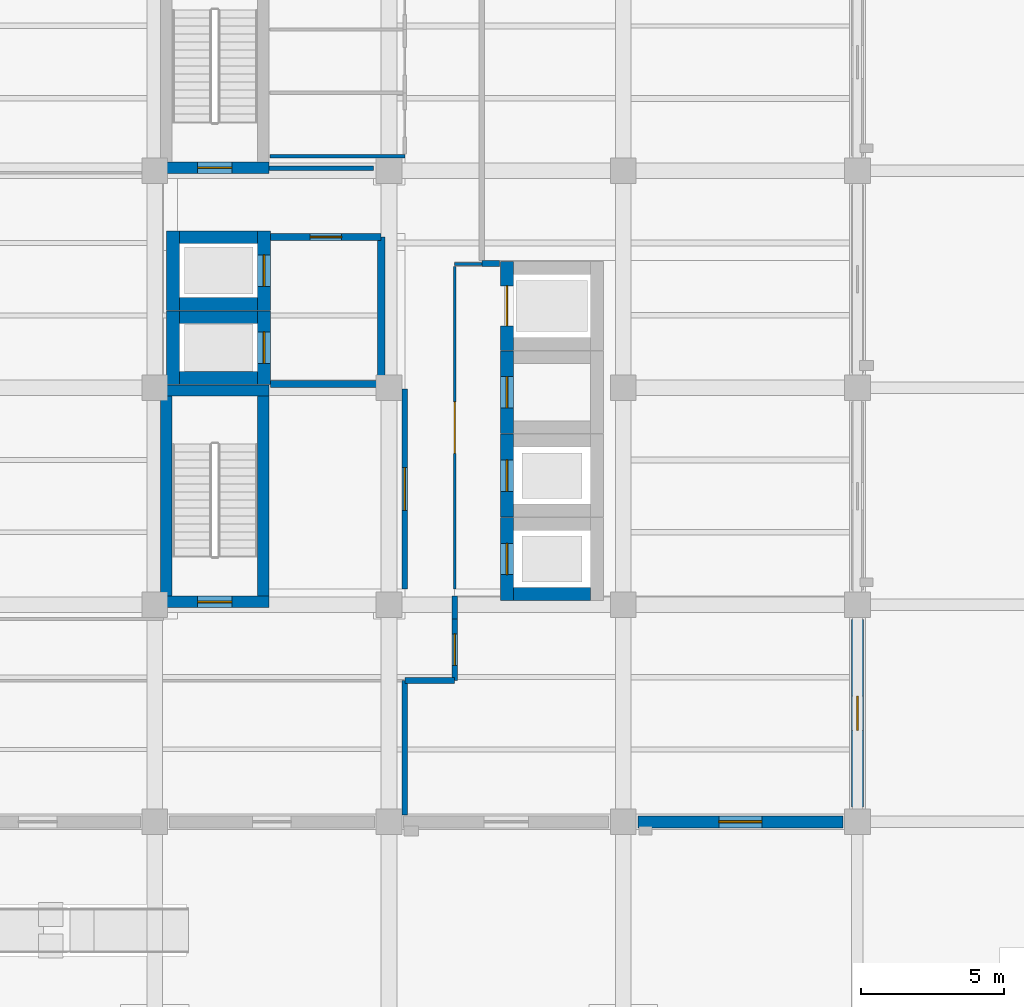
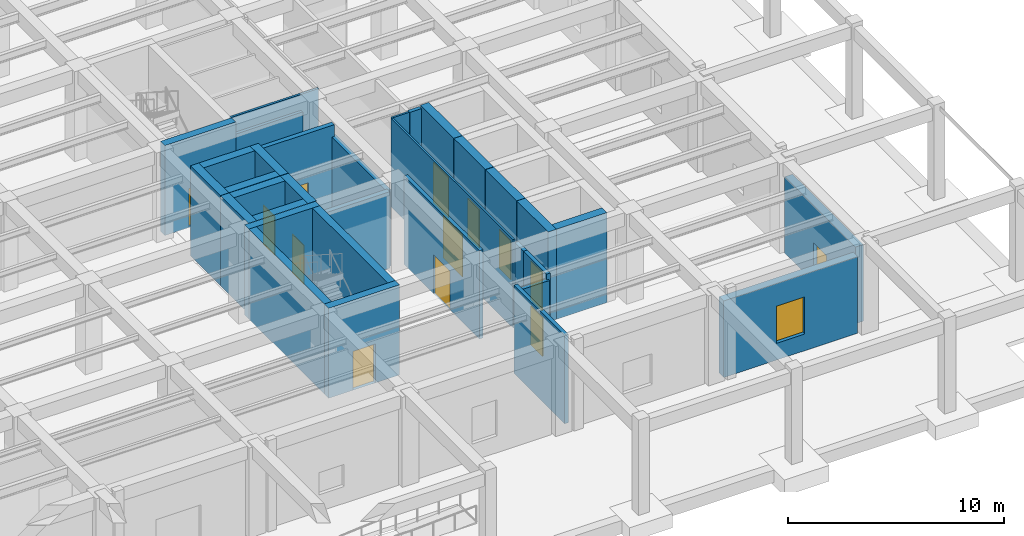
# One storey, part 47 of 64: 33 walls, 13 doors, 1 window, 14 openings.
"""IFC4 building model written with IfcOpenShell, lengths in metres."""

from ifc_helpers import new_model, si_unit, direction, frame, frame_2d, origin, place, context, subcontext, project, spatial, rectangle, extrude, material, layer, layer_set, type_object, element, fill, save


model = new_model("IFC4")

# Units and contexts
model_context = context("Model", 3, precision=1e-05, world=origin(), true_north=direction((0.0, 1.0)))
body_context = subcontext(model_context, "Body", "Model", "MODEL_VIEW")
ifc_project = project(units=[si_unit("LENGTHUNIT", "METRE"), si_unit("AREAUNIT", "SQUARE_METRE"), si_unit("VOLUMEUNIT", "CUBIC_METRE"), si_unit("PLANEANGLEUNIT", "RADIAN"), si_unit("MASSUNIT", "GRAM", prefix="KILO")], contexts=[model_context])

# Site, building, storey
site_placement = place(None, origin())
site = spatial("IfcSite", under=ifc_project, at=site_placement, CompositionType="ELEMENT")
building_placement = place(site_placement, origin())
building = spatial("IfcBuilding", under=site, at=building_placement, Name="Qandaris Square Conservatory and Botanical Centre", CompositionType="ELEMENT")
storey_placement = place(building_placement, origin())
storey = spatial("IfcBuildingStorey", under=building, at=storey_placement, Name="L00", CompositionType="ELEMENT", Elevation=0.0)

# Wall
ifc_material_1 = material(Name="Gypsum Plasterboard", Category="gypsum")
ifc_layer_1 = layer(ifc_material_1, 0.14990234375)
ifc_layer_set_1 = layer_set([ifc_layer_1], Name="Gypsum Plasterboard")
wall_type_1 = type_object("IfcWallType", Name="Acoustic Laboratory Partition 150mm", PredefinedType="PARTITIONING", material=ifc_layer_set_1)
wall_1_placement = place(storey_placement, frame((143.199951171875, 39.47998046875, 0.0), z_axis=(0.0, 0.0, 1.0), x_axis=(1.0, 0.0, 0.0)))
element("IfcWall", 1, at=wall_1_placement, inside=storey, type_object=wall_type_1, Name="Interior Partition IW-L00-0059", PredefinedType="PARTITIONING", context=body_context, shape_type="SweptSolid", body=[
    extrude(rectangle(XDim=3.650146484375, YDim=0.14990234375, at=frame_2d((1.8251953125, 0.0))), origin(), (0.0, 0.0, 1.0), 4.3349609375),
])

# Wall, opening, door
ifc_material_2 = material(Name="Concrete C40/50", Category="concrete")
ifc_layer_2 = layer(ifc_material_2, 0.25)
ifc_layer_set_2 = layer_set([ifc_layer_2], Name="Concrete C40/50")
wall_type_2 = type_object("IfcWallType", Name="Firefighting Lobby Compartment Wall 250mm", PredefinedType="SOLIDWALL", material=ifc_layer_set_2)
wall_2_placement = place(storey_placement, frame((143.25, 37.074951171875, 0.0), z_axis=(0.0, 0.0, 1.0), x_axis=(1.0, 0.0, 0.0)))
wall_2 = element("IfcWall", 2, at=wall_2_placement, inside=storey, type_object=wall_type_2, Name="Firefighting Lobby Wall North (L00)", PredefinedType="SOLIDWALL", context=body_context, shape_type="SweptSolid", body=[
    extrude(rectangle(XDim=3.875, YDim=0.25, at=frame_2d((1.9375, 0.0))), origin(), (0.0, 0.0, 1.0), 5.0048828125),
])
opening_1_placement = place(wall_2_placement, frame((1.387451171875, 0.0, 0.0)))
opening_1 = element("IfcOpeningElement", 3, at=opening_1_placement, cuts=wall_2, Name="Opening D-FFL", PredefinedType="OPENING", context=body_context, shape_type="SweptSolid", body=[
    extrude(rectangle(XDim=1.10009765625, YDim=2.199951171875, at=frame_2d((0.550048828125, 1.10009765625))), frame((0.0, 0.136962890625, 0.0), z_axis=(0.0, -1.0, 0.0), x_axis=(1.0, 0.0, 0.0)), (0.0, 0.0, 1.0), 0.27392578125),
])
ifc_material_3 = material(Name="Steel S355", Category="steel")
door_type_1 = type_object("IfcDoorType", Name="Firefighting Lobby Smoke-Seal Door 1100x2200", OperationType="NOTDEFINED", PredefinedType="DOOR", material=ifc_material_3)
door_1_placement = place(opening_1_placement, origin())
door_1 = element("IfcDoor", 4, at=door_1_placement, inside=storey, type_object=door_type_1, Name="DR-0036 Firefighting Lobby Door (L00)", OperationType="SINGLE_SWING_LEFT", OverallHeight=2.199951171875, OverallWidth=1.10009765625, PredefinedType="DOOR", context=body_context, shape_type="SweptSolid", body=[
    extrude(rectangle(XDim=1.10009765625, YDim=2.199951171875, at=frame_2d((0.550048828125, 1.10009765625))), frame((0.0, 0.02490234375, 0.0), z_axis=(0.0, -1.0, 0.0), x_axis=(1.0, 0.0, 0.0)), (0.0, 0.0, 1.0), 0.050048828125),
])
fill(opening_1, door_1)

# Walls
wall_3_placement = place(storey_placement, frame((143.25, 31.925048828125, 0.0), z_axis=(0.0, 0.0, 1.0), x_axis=(1.0, 0.0, 0.0)))
element("IfcWall", 5, at=wall_3_placement, inside=storey, type_object=wall_type_2, Name="Firefighting Lobby Wall South (L00)", PredefinedType="SOLIDWALL", context=body_context, shape_type="SweptSolid", body=[
    extrude(rectangle(XDim=3.875, YDim=0.25, at=frame_2d((1.9375, 0.0))), origin(), (0.0, 0.0, 1.0), 4.3349609375),
])
wall_4_placement = place(storey_placement, frame((147.125, 31.925048828125, 0.0), z_axis=(0.0, 0.0, 1.0), x_axis=(0.0, 1.0, 0.0)))
element("IfcWall", 6, at=wall_4_placement, inside=storey, type_object=wall_type_2, Name="Firefighting Lobby Wall East (L00)", PredefinedType="SOLIDWALL", context=body_context, shape_type="SweptSolid", body=[
    extrude(rectangle(XDim=5.14990234375, YDim=0.25, at=frame_2d((2.574951171875, 0.0))), origin(), (0.0, 0.0, 1.0), 4.3349609375),
])

# Wall, opening, door
ifc_material_4 = material(Name="Tempered Low-E Glass", Category="glass")
ifc_layer_3 = layer(ifc_material_4, 0.10009765625)
ifc_layer_set_3 = layer_set([ifc_layer_3], Name="Tempered Low-E Glass")
wall_type_3 = type_object("IfcWallType", Name="Framed Acoustic Glazed Gallery Screen 100mm", PredefinedType="PARTITIONING", material=ifc_layer_set_3)
wall_5_placement = place(storey_placement, frame((149.699951171875, 24.75, 0.0), z_axis=(0.0, 0.0, 1.0), x_axis=(0.0, 1.0, 0.0)))
wall_5 = element("IfcWall", 7, at=wall_5_placement, inside=storey, type_object=wall_type_3, Name="Interior Partition IW-L00-0043", PredefinedType="PARTITIONING", context=body_context, shape_type="SweptSolid", body=[
    extrude(rectangle(XDim=11.300048828125, YDim=0.10009765625, at=frame_2d((5.64990234375, 0.0))), origin(), (0.0, 0.0, 1.0), 5.0048828125),
])
opening_2_placement = place(wall_5_placement, frame((4.75, 0.0, 0.0)))
opening_2 = element("IfcOpeningElement", 8, at=opening_2_placement, cuts=wall_5, Name="Opening D-GL1", PredefinedType="OPENING", context=body_context, shape_type="SweptSolid", body=[
    extrude(rectangle(XDim=1.800048828125, YDim=2.39990234375, at=frame_2d((0.89990234375, 1.199951171875))), frame((0.0, 0.06201171875, 0.0), z_axis=(0.0, -1.0, 0.0), x_axis=(1.0, 0.0, 0.0)), (0.0, 0.0, 1.0), 0.1240234375),
])
ifc_material_5 = material(Name="Anodised Aluminium", Category="aluminium")
door_type_2 = type_object("IfcDoorType", Name="Visitor Gallery Glazed Double Door 1800x2400", OperationType="DOUBLE_DOOR_SINGLE_SWING", PredefinedType="DOOR", material=ifc_material_5)
door_2_placement = place(opening_2_placement, frame((1.800048828125, 0.0, 0.0), z_axis=(0.0, 0.0, 1.0), x_axis=(-1.0, 0.0, 0.0)))
door_2 = element("IfcDoor", 9, at=door_2_placement, inside=storey, type_object=door_type_2, Name="DR-0037 Main Circulation Corridor L00 Door", OperationType="DOUBLE_DOOR_SINGLE_SWING", OverallHeight=2.39990234375, OverallWidth=1.800048828125, PredefinedType="DOOR", context=body_context, shape_type="SweptSolid", body=[
    extrude(rectangle(XDim=1.800048828125, YDim=2.39990234375, at=frame_2d((0.89990234375, 1.199951171875))), frame((0.0, 0.02490234375, 0.0), z_axis=(0.0, -1.0, 0.0), x_axis=(1.0, 0.0, 0.0)), (0.0, 0.0, 1.0), 0.050048828125),
])
fill(opening_2, door_2)

# Wall
wall_6_placement = place(storey_placement, frame((149.699951171875, 36.125, 0.0), z_axis=(0.0, 0.0, 1.0), x_axis=(1.0, 0.0, 0.0)))
element("IfcWall", 10, at=wall_6_placement, inside=storey, type_object=wall_type_3, Name="Interior Partition IW-L00-0044", PredefinedType="PARTITIONING", context=body_context, shape_type="SweptSolid", body=[
    extrude(rectangle(XDim=0.949951171875, YDim=0.10009765625, at=frame_2d((0.47509765625, 0.0))), origin(), (0.0, 0.0, 1.0), 5.0048828125),
])

# Wall, opening, door
ifc_layer_4 = layer(ifc_material_2, 0.199951171875)
ifc_layer_set_4 = layer_set([ifc_layer_4], Name="Concrete C40/50")
wall_type_4 = type_object("IfcWallType", Name="Herbarium & Plant Compartment Wall 200mm", PredefinedType="PARTITIONING", material=ifc_layer_set_4)
wall_7_placement = place(storey_placement, frame((147.949951171875, 31.75, 0.0), z_axis=(0.0, 0.0, 1.0), x_axis=(0.0, -1.0, 0.0)))
wall_7 = element("IfcWall", 11, at=wall_7_placement, inside=storey, type_object=wall_type_4, Name="Interior Partition IW-L00-0042", PredefinedType="PARTITIONING", context=body_context, shape_type="SweptSolid", body=[
    extrude(rectangle(XDim=7.0, YDim=0.199951171875, at=frame_2d((3.5, 0.0))), origin(), (0.0, 0.0, 1.0), 5.0048828125),
])
opening_3_placement = place(wall_7_placement, frame((2.75, 0.0, 0.0)))
opening_3 = element("IfcOpeningElement", 12, at=opening_3_placement, cuts=wall_7, Name="Opening D-PLT1", PredefinedType="OPENING", context=body_context, shape_type="SweptSolid", body=[
    extrude(rectangle(XDim=1.5, YDim=2.199951171875, at=frame_2d((0.75, 1.10009765625))), frame((0.0, 0.11181640625, 0.0), z_axis=(0.0, -1.0, 0.0), x_axis=(1.0, 0.0, 0.0)), (0.0, 0.0, 1.0), 0.223876953125),
])
door_type_3 = type_object("IfcDoorType", Name="Plant & Riser Double Fire Door 1500x2200", OperationType="DOUBLE_DOOR_SINGLE_SWING", PredefinedType="DOOR", material=ifc_material_3)
door_3_placement = place(opening_3_placement, origin())
door_3 = element("IfcDoor", 13, at=door_3_placement, inside=storey, type_object=door_type_3, Name="DR-0054 Electrical and Telecom Riser Room L00 Door", OperationType="DOUBLE_DOOR_SINGLE_SWING", OverallHeight=2.199951171875, OverallWidth=1.5, PredefinedType="DOOR", context=body_context, shape_type="SweptSolid", body=[
    extrude(rectangle(XDim=1.5, YDim=2.199951171875, at=frame_2d((0.75, 1.10009765625))), frame((0.0, 0.02490234375, 0.0), z_axis=(0.0, -1.0, 0.0), x_axis=(1.0, 0.0, 0.0)), (0.0, 0.0, 1.0), 0.050048828125),
])
fill(opening_3, door_3)

# Walls
wall_8_placement = place(storey_placement, frame((150.64990234375, 36.14990234375, 0.0), z_axis=(0.0, 0.0, 1.0), x_axis=(1.0, 0.0, 0.0)))
element("IfcWall", 14, at=wall_8_placement, inside=storey, type_object=wall_type_4, Name="Interior Partition IW-L00-0045", PredefinedType="PARTITIONING", context=body_context, shape_type="SweptSolid", body=[
    extrude(rectangle(XDim=0.6201171875, YDim=0.199951171875, at=frame_2d((0.31005859375, 0.0))), origin(), (0.0, 0.0, 1.0), 5.0048828125),
])
wall_9_placement = place(storey_placement, frame((149.699951171875, 24.5, 0.0), z_axis=(0.0, 0.0, 1.0), x_axis=(0.0, -1.0, 0.0)))
element("IfcWall", 15, at=wall_9_placement, inside=storey, type_object=wall_type_4, Name="Interior Partition IW-L00-0051", PredefinedType="PARTITIONING", context=body_context, shape_type="SweptSolid", body=[
    extrude(rectangle(XDim=0.800048828125, YDim=0.199951171875, at=frame_2d((0.39990234375, 0.0))), origin(), (0.0, 0.0, 1.0), 5.0048828125),
])

# Wall, opening, door
wall_10_placement = place(storey_placement, frame((149.699951171875, 23.699951171875, 0.0), z_axis=(0.0, 0.0, 1.0), x_axis=(0.0, -1.0, 0.0)))
wall_10 = element("IfcWall", 16, at=wall_10_placement, inside=storey, type_object=wall_type_4, Name="Interior Partition IW-L00-0052", PredefinedType="PARTITIONING", context=body_context, shape_type="SweptSolid", body=[
    extrude(rectangle(XDim=2.14990234375, YDim=0.199951171875, at=frame_2d((1.074951171875, 0.0))), origin(), (0.0, 0.0, 1.0), 5.0048828125),
])
opening_4_placement = place(wall_10_placement, frame((0.52490234375, 0.0, 0.0)))
opening_4 = element("IfcOpeningElement", 17, at=opening_4_placement, cuts=wall_10, Name="Opening D-FCR", PredefinedType="OPENING", context=body_context, shape_type="SweptSolid", body=[
    extrude(rectangle(XDim=1.10009765625, YDim=2.199951171875, at=frame_2d((0.550048828125, 1.10009765625))), frame((0.0, 0.11181640625, 0.0), z_axis=(0.0, -1.0, 0.0), x_axis=(1.0, 0.0, 0.0)), (0.0, 0.0, 1.0), 0.223876953125),
])
door_type_4 = type_object("IfcDoorType", Name="Fire Command Room Rated Door 1100x2200", OperationType="NOTDEFINED", PredefinedType="DOOR", material=ifc_material_3)
door_4_placement = place(opening_4_placement, origin())
door_4 = element("IfcDoor", 18, at=door_4_placement, inside=storey, type_object=door_type_4, Name="DR-0035 Fire Command Room Door", OperationType="SINGLE_SWING_RIGHT", OverallHeight=2.199951171875, OverallWidth=1.10009765625, PredefinedType="DOOR", context=body_context, shape_type="SweptSolid", body=[
    extrude(rectangle(XDim=1.10009765625, YDim=2.199951171875, at=frame_2d((0.550048828125, 1.10009765625))), frame((0.0, 0.02490234375, 0.0), z_axis=(0.0, -1.0, 0.0), x_axis=(1.0, 0.0, 0.0)), (0.0, 0.0, 1.0), 0.050048828125),
])
fill(opening_4, door_4)

# Walls
wall_11_placement = place(storey_placement, frame((149.699951171875, 21.550048828125, 0.0), z_axis=(0.0, 0.0, 1.0), x_axis=(-1.0, 0.0, 0.0)))
element("IfcWall", 19, at=wall_11_placement, inside=storey, type_object=wall_type_4, Name="Interior Partition IW-L00-0053", PredefinedType="PARTITIONING", context=body_context, shape_type="SweptSolid", body=[
    extrude(rectangle(XDim=1.75, YDim=0.199951171875, at=frame_2d((0.875, 0.0))), origin(), (0.0, 0.0, 1.0), 4.675048828125),
])
wall_12_placement = place(storey_placement, frame((147.949951171875, 16.840087890625, 0.0), z_axis=(0.0, 0.0, 1.0), x_axis=(0.0, 1.0, 0.0)))
element("IfcWall", 20, at=wall_12_placement, inside=storey, type_object=wall_type_4, Name="Interior Partition IW-L00-0064", PredefinedType="PARTITIONING", context=body_context, shape_type="SweptSolid", body=[
    extrude(rectangle(XDim=4.7099609375, YDim=0.199951171875, at=frame_2d((2.35498046875, 0.0))), origin(), (0.0, 0.0, 1.0), 5.0048828125),
])

# Wall, opening, window
ifc_layer_5 = layer(ifc_material_2, 0.419921875)
ifc_layer_set_5 = layer_set([ifc_layer_5], Name="Concrete C40/50")
wall_type_5 = type_object("IfcWallType", Name="Insulated Qatari Limestone Cavity Wall 420mm", PredefinedType="SOLIDWALL", material=ifc_layer_set_5)
wall_13_placement = place(storey_placement, frame((156.110107421875, 16.60009765625, 0.0), z_axis=(0.0, 0.0, 1.0), x_axis=(1.0, 0.0, 0.0)))
wall_13 = element("IfcWall", 21, at=wall_13_placement, inside=storey, type_object=wall_type_5, Name="Exterior Wall EW-TWR-L00-1-8", PredefinedType="SOLIDWALL", context=body_context, shape_type="SweptSolid", body=[
    extrude(rectangle(XDim=7.179931640625, YDim=0.419921875, at=frame_2d((3.58984375, 0.0))), origin(), (0.0, 0.0, 1.0), 4.3349609375),
])
opening_5_placement = place(wall_13_placement, frame((2.840087890625, 0.0, 0.949951171875)))
opening_5 = element("IfcOpeningElement", 22, at=opening_5_placement, cuts=wall_13, Name="Opening WN-02", PredefinedType="OPENING", context=body_context, shape_type="SweptSolid", body=[
    extrude(rectangle(XDim=1.5, YDim=2.10009765625, at=frame_2d((0.75, 1.050048828125))), frame((0.0, 0.221923828125, 0.0), z_axis=(0.0, -1.0, 0.0), x_axis=(1.0, 0.0, 0.0)), (0.0, 0.0, 1.0), 0.44384765625),
])
window_type = type_object("IfcWindowType", Name="Deep-Set Paired Research Window 1500x2100", PartitioningType="DOUBLE_PANEL_VERTICAL", PredefinedType="WINDOW", material=ifc_material_4)
window_placement = place(opening_5_placement, origin())
window = element("IfcWindow", 23, at=window_placement, inside=storey, type_object=window_type, Name="Window EW-TWR-L00-1-8", OverallHeight=2.10009765625, OverallWidth=1.5, PartitioningType="DOUBLE_PANEL_VERTICAL", PredefinedType="WINDOW", context=body_context, shape_type="SweptSolid", body=[
    extrude(rectangle(XDim=1.5, YDim=2.10009765625, at=frame_2d((0.75, 1.050048828125))), frame((0.0, 0.030029296875, 0.0), z_axis=(0.0, -1.0, 0.0), x_axis=(1.0, 0.0, 0.0)), (0.0, 0.0, 1.0), 0.06005859375),
])
fill(opening_5, window)

# Wall, opening, door
wall_14_placement = place(storey_placement, frame((163.800048828125, 17.110107421875, 0.0), z_axis=(0.0, 0.0, 1.0), x_axis=(0.0, 1.0, 0.0)))
wall_14 = element("IfcWall", 24, at=wall_14_placement, inside=storey, type_object=wall_type_5, Name="Exterior Wall EW-TWR-L00-2-1", PredefinedType="SOLIDWALL", context=body_context, shape_type="SweptSolid", body=[
    extrude(rectangle(XDim=6.579833984375, YDim=0.419921875, at=frame_2d((3.2900390625, 0.0))), origin(), (0.0, 0.0, 1.0), 4.3349609375),
])
opening_6_placement = place(wall_14_placement, frame((2.68994140625, 0.0, 0.0)))
opening_6 = element("IfcOpeningElement", 25, at=opening_6_placement, cuts=wall_14, Name="Opening ED-T5", PredefinedType="OPENING", context=body_context, shape_type="SweptSolid", body=[
    extrude(rectangle(XDim=1.199951171875, YDim=2.199951171875, at=frame_2d((0.60009765625, 1.10009765625))), frame((0.0, 0.221923828125, 0.0), z_axis=(0.0, -1.0, 0.0), x_axis=(1.0, 0.0, 0.0)), (0.0, 0.0, 1.0), 0.44384765625),
])
door_type_5 = type_object("IfcDoorType", Name="Plant and Loading Fire Exit Door 1200x2200", OperationType="NOTDEFINED", PredefinedType="DOOR", material=ifc_material_5)
door_5_placement = place(opening_6_placement, frame((1.199951171875, 0.0, 0.0), z_axis=(0.0, 0.0, 1.0), x_axis=(-1.0, 0.0, 0.0)))
door_5 = element("IfcDoor", 26, at=door_5_placement, inside=storey, type_object=door_type_5, Name="DR-0081 Exterior Exit Door ED-FCR", OperationType="SINGLE_SWING_LEFT", OverallHeight=2.199951171875, OverallWidth=1.199951171875, PredefinedType="DOOR", context=body_context, shape_type="SweptSolid", body=[
    extrude(rectangle(XDim=1.199951171875, YDim=2.199951171875, at=frame_2d((0.60009765625, 1.10009765625))), frame((0.0, 0.02490234375, 0.0), z_axis=(0.0, -1.0, 0.0), x_axis=(1.0, 0.0, 0.0)), (0.0, 0.0, 1.0), 0.050048828125),
])
fill(opening_6, door_5)

# Walls
ifc_material_6 = material(Name="Concrete C50/60", Category="concrete")
ifc_layer_6 = layer(ifc_material_6, 0.449951171875)
ifc_layer_set_6 = layer_set([ifc_layer_6], Name="Concrete C50/60")
wall_type_6 = type_object("IfcWallType", Name="RC Coupled Core Shear Wall 450mm", PredefinedType="SHEAR", material=ifc_layer_set_6)
for number, where, z_axis, x_axis, name in (
    (27, (140.06005859375, 32.135009765625, 0.0), (0.0, 0.0, 1.0), (1.0, 0.0, 0.0), "Lift FFL1 Shaft Wall South (L00)"),
    (28, (140.06005859375, 34.264892578125, 0.0), (0.0, 0.0, 1.0), (1.0, 0.0, 0.0), "Lift FFL1 Shaft Wall North (L00)"),
):
    element("IfcWall", number, at=place(storey_placement, frame(where, z_axis=z_axis, x_axis=x_axis)), inside=storey, type_object=wall_type_6, Name=name, PredefinedType="SHEAR", context=body_context, shape_type="SweptSolid", body=[
        extrude(rectangle(XDim=2.739990234375, YDim=0.449951171875, at=frame_2d((1.3701171875, 0.0))), origin(), (0.0, 0.0, 1.0), 5.10009765625),
    ])
wall_15_placement = place(storey_placement, frame((139.8349609375, 31.909912109375, 0.0), z_axis=(0.0, 0.0, 1.0), x_axis=(0.0, 1.0, 0.0)))
element("IfcWall", 29, at=wall_15_placement, inside=storey, type_object=wall_type_6, Name="Lift FFL1 Shaft Wall West (L00)", PredefinedType="SHEAR", context=body_context, shape_type="SweptSolid", body=[
    extrude(rectangle(XDim=2.580078125, YDim=0.449951171875, at=frame_2d((1.2900390625, 0.0))), origin(), (0.0, 0.0, 1.0), 5.10009765625),
])

# Wall, opening, door
wall_16_placement = place(storey_placement, frame((143.02490234375, 31.909912109375, 0.0), z_axis=(0.0, 0.0, 1.0), x_axis=(0.0, 1.0, 0.0)))
wall_16 = element("IfcWall", 30, at=wall_16_placement, inside=storey, type_object=wall_type_6, Name="Lift FFL1 Shaft Wall East (L00)", PredefinedType="SHEAR", context=body_context, shape_type="SweptSolid", body=[
    extrude(rectangle(XDim=2.580078125, YDim=0.449951171875, at=frame_2d((1.2900390625, 0.0))), origin(), (0.0, 0.0, 1.0), 5.10009765625),
])
opening_7_placement = place(wall_16_placement, frame((0.739990234375, 0.0, 0.0)))
opening_7 = element("IfcOpeningElement", 31, at=opening_7_placement, cuts=wall_16, Name="Opening LD-FFL", PredefinedType="OPENING", context=body_context, shape_type="SweptSolid", body=[
    extrude(rectangle(XDim=1.10009765625, YDim=2.199951171875, at=frame_2d((0.550048828125, 1.10009765625))), frame((0.0, 0.23681640625, 0.0), z_axis=(0.0, -1.0, 0.0), x_axis=(1.0, 0.0, 0.0)), (0.0, 0.0, 1.0), 0.473876953125),
])
door_type_6 = type_object("IfcDoorType", Name="Firefighting Lift Sliding Landing Door 1100x2200", OperationType="DOUBLE_DOOR_SLIDING", PredefinedType="DOOR", material=ifc_material_3)
door_6_placement = place(opening_7_placement, origin())
door_6 = element("IfcDoor", 32, at=door_6_placement, inside=storey, type_object=door_type_6, Name="DR-0082 Lift FFL1 Landing Door (L00)", OperationType="DOUBLE_DOOR_SLIDING", OverallHeight=2.199951171875, OverallWidth=1.10009765625, PredefinedType="DOOR", context=body_context, shape_type="SweptSolid", body=[
    extrude(rectangle(XDim=1.10009765625, YDim=2.199951171875, at=frame_2d((0.550048828125, 1.10009765625))), frame((0.0, 0.02490234375, 0.0), z_axis=(0.0, -1.0, 0.0), x_axis=(1.0, 0.0, 0.0)), (0.0, 0.0, 1.0), 0.050048828125),
])
fill(opening_7, door_6)

# Walls
for number, where, z_axis, x_axis, name in (
    (33, (140.06005859375, 34.735107421875, 0.0), (0.0, 0.0, 1.0), (1.0, 0.0, 0.0), "Lift FFL2 Shaft Wall South (L00)"),
    (34, (140.06005859375, 37.06494140625, 0.0), (0.0, 0.0, 1.0), (1.0, 0.0, 0.0), "Lift FFL2 Shaft Wall North (L00)"),
):
    element("IfcWall", number, at=place(storey_placement, frame(where, z_axis=z_axis, x_axis=x_axis)), inside=storey, type_object=wall_type_6, Name=name, PredefinedType="SHEAR", context=body_context, shape_type="SweptSolid", body=[
        extrude(rectangle(XDim=2.739990234375, YDim=0.449951171875, at=frame_2d((1.3701171875, 0.0))), origin(), (0.0, 0.0, 1.0), 5.10009765625),
    ])
wall_17_placement = place(storey_placement, frame((139.8349609375, 34.510009765625, 0.0), z_axis=(0.0, 0.0, 1.0), x_axis=(0.0, 1.0, 0.0)))
element("IfcWall", 35, at=wall_17_placement, inside=storey, type_object=wall_type_6, Name="Lift FFL2 Shaft Wall West (L00)", PredefinedType="SHEAR", context=body_context, shape_type="SweptSolid", body=[
    extrude(rectangle(XDim=2.780029296875, YDim=0.449951171875, at=frame_2d((1.39013671875, 0.0))), origin(), (0.0, 0.0, 1.0), 5.10009765625),
])

# Wall, opening, door
wall_18_placement = place(storey_placement, frame((143.02490234375, 34.510009765625, 0.0), z_axis=(0.0, 0.0, 1.0), x_axis=(0.0, 1.0, 0.0)))
wall_18 = element("IfcWall", 36, at=wall_18_placement, inside=storey, type_object=wall_type_6, Name="Lift FFL2 Shaft Wall East (L00)", PredefinedType="SHEAR", context=body_context, shape_type="SweptSolid", body=[
    extrude(rectangle(XDim=2.780029296875, YDim=0.449951171875, at=frame_2d((1.39013671875, 0.0))), origin(), (0.0, 0.0, 1.0), 5.10009765625),
])
opening_8_placement = place(wall_18_placement, frame((0.840087890625, 0.0, 0.0)))
opening_8 = element("IfcOpeningElement", 37, at=opening_8_placement, cuts=wall_18, Name="Opening LD-FFL", PredefinedType="OPENING", context=body_context, shape_type="SweptSolid", body=[
    extrude(rectangle(XDim=1.10009765625, YDim=2.199951171875, at=frame_2d((0.550048828125, 1.10009765625))), frame((0.0, 0.23681640625, 0.0), z_axis=(0.0, -1.0, 0.0), x_axis=(1.0, 0.0, 0.0)), (0.0, 0.0, 1.0), 0.473876953125),
])
door_7_placement = place(opening_8_placement, origin())
door_7 = element("IfcDoor", 38, at=door_7_placement, inside=storey, type_object=door_type_6, Name="DR-0083 Lift FFL2 Landing Door (L00)", OperationType="DOUBLE_DOOR_SLIDING", OverallHeight=2.199951171875, OverallWidth=1.10009765625, PredefinedType="DOOR", context=body_context, shape_type="SweptSolid", body=[
    extrude(rectangle(XDim=1.10009765625, YDim=2.199951171875, at=frame_2d((0.550048828125, 1.10009765625))), frame((0.0, 0.02490234375, 0.0), z_axis=(0.0, -1.0, 0.0), x_axis=(1.0, 0.0, 0.0)), (0.0, 0.0, 1.0), 0.050048828125),
])
fill(opening_8, door_7)

# Wall
wall_19_placement = place(storey_placement, frame((151.75, 24.574951171875, 0.0), z_axis=(0.0, 0.0, 1.0), x_axis=(1.0, 0.0, 0.0)))
element("IfcWall", 39, at=wall_19_placement, inside=storey, type_object=wall_type_6, Name="Lift PL1 Shaft Wall South (L00)", PredefinedType="SHEAR", context=body_context, shape_type="SweptSolid", body=[
    extrude(rectangle(XDim=2.699951171875, YDim=0.449951171875, at=frame_2d((1.35009765625, 0.0))), origin(), (0.0, 0.0, 1.0), 5.10009765625),
])

# Wall, opening, door
wall_20_placement = place(storey_placement, frame((151.52490234375, 24.35009765625, 0.0), z_axis=(0.0, 0.0, 1.0), x_axis=(0.0, 1.0, 0.0)))
wall_20 = element("IfcWall", 40, at=wall_20_placement, inside=storey, type_object=wall_type_6, Name="Lift PL1 Shaft Wall West (L00)", PredefinedType="SHEAR", context=body_context, shape_type="SweptSolid", body=[
    extrude(rectangle(XDim=2.89990234375, YDim=0.449951171875, at=frame_2d((1.449951171875, 0.0))), origin(), (0.0, 0.0, 1.0), 5.10009765625),
])
opening_9_placement = place(wall_20_placement, frame((0.89990234375, 0.0, 0.0)))
opening_9 = element("IfcOpeningElement", 41, at=opening_9_placement, cuts=wall_20, Name="Opening LD-PAX", PredefinedType="OPENING", context=body_context, shape_type="SweptSolid", body=[
    extrude(rectangle(XDim=1.10009765625, YDim=2.199951171875, at=frame_2d((0.550048828125, 1.10009765625))), frame((0.0, 0.23681640625, 0.0), z_axis=(0.0, -1.0, 0.0), x_axis=(1.0, 0.0, 0.0)), (0.0, 0.0, 1.0), 0.473876953125),
])
door_type_7 = type_object("IfcDoorType", Name="Passenger Lift Sliding Landing Door 1100x2200", OperationType="DOUBLE_DOOR_SLIDING", PredefinedType="DOOR", material=ifc_material_5)
door_8_placement = place(opening_9_placement, origin())
door_8 = element("IfcDoor", 42, at=door_8_placement, inside=storey, type_object=door_type_7, Name="DR-0086 Lift PL1 Landing Door (L00)", OperationType="DOUBLE_DOOR_SLIDING", OverallHeight=2.199951171875, OverallWidth=1.10009765625, PredefinedType="DOOR", context=body_context, shape_type="SweptSolid", body=[
    extrude(rectangle(XDim=1.10009765625, YDim=2.199951171875, at=frame_2d((0.550048828125, 1.10009765625))), frame((0.0, 0.02490234375, 0.0), z_axis=(0.0, -1.0, 0.0), x_axis=(1.0, 0.0, 0.0)), (0.0, 0.0, 1.0), 0.050048828125),
])
fill(opening_9, door_8)

wall_21_placement = place(storey_placement, frame((151.52490234375, 27.27001953125, 0.0), z_axis=(0.0, 0.0, 1.0), x_axis=(0.0, 1.0, 0.0)))
wall_21 = element("IfcWall", 43, at=wall_21_placement, inside=storey, type_object=wall_type_6, Name="Lift PL2 Shaft Wall West (L00)", PredefinedType="SHEAR", context=body_context, shape_type="SweptSolid", body=[
    extrude(rectangle(XDim=2.89990234375, YDim=0.449951171875, at=frame_2d((1.449951171875, 0.0))), origin(), (0.0, 0.0, 1.0), 5.10009765625),
])
opening_10_placement = place(wall_21_placement, frame((0.89990234375, 0.0, 0.0)))
opening_10 = element("IfcOpeningElement", 44, at=opening_10_placement, cuts=wall_21, Name="Opening LD-PAX", PredefinedType="OPENING", context=body_context, shape_type="SweptSolid", body=[
    extrude(rectangle(XDim=1.10009765625, YDim=2.199951171875, at=frame_2d((0.550048828125, 1.10009765625))), frame((0.0, 0.23681640625, 0.0), z_axis=(0.0, -1.0, 0.0), x_axis=(1.0, 0.0, 0.0)), (0.0, 0.0, 1.0), 0.473876953125),
])
door_9_placement = place(opening_10_placement, origin())
door_9 = element("IfcDoor", 45, at=door_9_placement, inside=storey, type_object=door_type_7, Name="DR-0087 Lift PL2 Landing Door (L00)", OperationType="DOUBLE_DOOR_SLIDING", OverallHeight=2.199951171875, OverallWidth=1.10009765625, PredefinedType="DOOR", context=body_context, shape_type="SweptSolid", body=[
    extrude(rectangle(XDim=1.10009765625, YDim=2.199951171875, at=frame_2d((0.550048828125, 1.10009765625))), frame((0.0, 0.02490234375, 0.0), z_axis=(0.0, -1.0, 0.0), x_axis=(1.0, 0.0, 0.0)), (0.0, 0.0, 1.0), 0.050048828125),
])
fill(opening_10, door_9)

wall_22_placement = place(storey_placement, frame((151.52490234375, 30.18994140625, 0.0), z_axis=(0.0, 0.0, 1.0), x_axis=(0.0, 1.0, 0.0)))
wall_22 = element("IfcWall", 46, at=wall_22_placement, inside=storey, type_object=wall_type_6, Name="Lift PL3 Shaft Wall West (L00)", PredefinedType="SHEAR", context=body_context, shape_type="SweptSolid", body=[
    extrude(rectangle(XDim=2.900146484375, YDim=0.449951171875, at=frame_2d((1.4501953125, 0.0))), origin(), (0.0, 0.0, 1.0), 5.10009765625),
])
opening_11_placement = place(wall_22_placement, frame((0.89990234375, 0.0, 0.0)))
opening_11 = element("IfcOpeningElement", 47, at=opening_11_placement, cuts=wall_22, Name="Opening LD-PAX", PredefinedType="OPENING", context=body_context, shape_type="SweptSolid", body=[
    extrude(rectangle(XDim=1.10009765625, YDim=2.199951171875, at=frame_2d((0.550048828125, 1.10009765625))), frame((0.0, 0.23681640625, 0.0), z_axis=(0.0, -1.0, 0.0), x_axis=(1.0, 0.0, 0.0)), (0.0, 0.0, 1.0), 0.473876953125),
])
door_10_placement = place(opening_11_placement, origin())
door_10 = element("IfcDoor", 48, at=door_10_placement, inside=storey, type_object=door_type_7, Name="DR-0088 Lift PL3 Landing Door (L00)", OperationType="DOUBLE_DOOR_SLIDING", OverallHeight=2.199951171875, OverallWidth=1.10009765625, PredefinedType="DOOR", context=body_context, shape_type="SweptSolid", body=[
    extrude(rectangle(XDim=1.10009765625, YDim=2.199951171875, at=frame_2d((0.550048828125, 1.10009765625))), frame((0.0, 0.02490234375, 0.0), z_axis=(0.0, -1.0, 0.0), x_axis=(1.0, 0.0, 0.0)), (0.0, 0.0, 1.0), 0.050048828125),
])
fill(opening_11, door_10)

wall_23_placement = place(storey_placement, frame((151.52490234375, 33.110107421875, 0.0), z_axis=(0.0, 0.0, 1.0), x_axis=(0.0, 1.0, 0.0)))
wall_23 = element("IfcWall", 49, at=wall_23_placement, inside=storey, type_object=wall_type_6, Name="Lift GL1 Shaft Wall West (L00)", PredefinedType="SHEAR", context=body_context, shape_type="SweptSolid", body=[
    extrude(rectangle(XDim=3.099853515625, YDim=0.449951171875, at=frame_2d((1.5498046875, 0.0))), origin(), (0.0, 0.0, 1.0), 5.10009765625),
])
opening_12_placement = place(wall_23_placement, frame((0.85009765625, 0.0, 0.0)))
opening_12 = element("IfcOpeningElement", 50, at=opening_12_placement, cuts=wall_23, Name="Opening LD-GDS", PredefinedType="OPENING", context=body_context, shape_type="SweptSolid", body=[
    extrude(rectangle(XDim=1.39990234375, YDim=2.300048828125, at=frame_2d((0.699951171875, 1.14990234375))), frame((0.0, 0.23681640625, 0.0), z_axis=(0.0, -1.0, 0.0), x_axis=(1.0, 0.0, 0.0)), (0.0, 0.0, 1.0), 0.473876953125),
])
door_type_8 = type_object("IfcDoorType", Name="Goods & Herbarium Lift Sliding Landing Door 1400x2300", OperationType="DOUBLE_DOOR_SLIDING", PredefinedType="DOOR", material=ifc_material_3)
door_11_placement = place(opening_12_placement, origin())
door_11 = element("IfcDoor", 51, at=door_11_placement, inside=storey, type_object=door_type_8, Name="DR-0084 Lift GL1 Landing Door (L00)", OperationType="DOUBLE_DOOR_SLIDING", OverallHeight=2.300048828125, OverallWidth=1.39990234375, PredefinedType="DOOR", context=body_context, shape_type="SweptSolid", body=[
    extrude(rectangle(XDim=1.39990234375, YDim=2.300048828125, at=frame_2d((0.699951171875, 1.14990234375))), frame((0.0, 0.02490234375, 0.0), z_axis=(0.0, -1.0, 0.0), x_axis=(1.0, 0.0, 0.0)), (0.0, 0.0, 1.0), 0.050048828125),
])
fill(opening_12, door_11)

ifc_layer_7 = layer(ifc_material_6, 0.39990234375)
ifc_layer_set_7 = layer_set([ifc_layer_7], Name="Concrete C50/60")
wall_type_7 = type_object("IfcWallType", Name="RC Stair Core Shear Wall 400mm", PredefinedType="SHEAR", material=ifc_layer_set_7)
wall_24_placement = place(storey_placement, frame((139.39990234375, 24.300048828125, 0.0), z_axis=(0.0, 0.0, 1.0), x_axis=(1.0, 0.0, 0.0)))
wall_24 = element("IfcWall", 52, at=wall_24_placement, inside=storey, type_object=wall_type_7, Name="ST-1 Core Shear Wall South (L00)", PredefinedType="SHEAR", context=body_context, shape_type="SweptSolid", body=[
    extrude(rectangle(XDim=3.800048828125, YDim=0.39990234375, at=frame_2d((1.89990234375, 0.0))), origin(), (0.0, 0.0, 1.0), 5.10009765625),
])
opening_13_placement = place(wall_24_placement, frame((1.300048828125, 0.0, 0.0)))
opening_13 = element("IfcOpeningElement", 53, at=opening_13_placement, cuts=wall_24, Name="Opening D-ST1", PredefinedType="OPENING", context=body_context, shape_type="SweptSolid", body=[
    extrude(rectangle(XDim=1.199951171875, YDim=2.199951171875, at=frame_2d((0.60009765625, 1.10009765625))), frame((0.0, 0.2119140625, 0.0), z_axis=(0.0, -1.0, 0.0), x_axis=(1.0, 0.0, 0.0)), (0.0, 0.0, 1.0), 0.423828125),
])
door_type_9 = type_object("IfcDoorType", Name="Exit Stair Core Fire Door 1200x2200", OperationType="NOTDEFINED", PredefinedType="DOOR", material=ifc_material_3)
door_12_placement = place(opening_13_placement, frame((1.199951171875, 0.0, 0.0), z_axis=(0.0, 0.0, 1.0), x_axis=(-1.0, 0.0, 0.0)))
door_12 = element("IfcDoor", 54, at=door_12_placement, inside=storey, type_object=door_type_9, Name="DR-0056 ST-1 Stair Core Door (L00)", OperationType="SINGLE_SWING_RIGHT", OverallHeight=2.199951171875, OverallWidth=1.199951171875, PredefinedType="DOOR", context=body_context, shape_type="SweptSolid", body=[
    extrude(rectangle(XDim=1.199951171875, YDim=2.199951171875, at=frame_2d((0.60009765625, 1.10009765625))), frame((0.0, 0.02490234375, 0.0), z_axis=(0.0, -1.0, 0.0), x_axis=(1.0, 0.0, 0.0)), (0.0, 0.0, 1.0), 0.050048828125),
])
fill(opening_13, door_12)

# Walls
wall_25_placement = place(storey_placement, frame((139.39990234375, 31.699951171875, 0.0), z_axis=(0.0, 0.0, 1.0), x_axis=(1.0, 0.0, 0.0)))
element("IfcWall", 55, at=wall_25_placement, inside=storey, type_object=wall_type_7, Name="ST-1 Core Shear Wall North (L00)", PredefinedType="SHEAR", context=body_context, shape_type="SweptSolid", body=[
    extrude(rectangle(XDim=3.800048828125, YDim=0.39990234375, at=frame_2d((1.89990234375, 0.0))), origin(), (0.0, 0.0, 1.0), 5.10009765625),
])
for number, where, z_axis, x_axis, name in (
    (56, (139.60009765625, 24.5, 0.0), (0.0, 0.0, 1.0), (0.0, 1.0, 0.0), "ST-1 Core Shear Wall West (L00)"),
    (57, (143.0, 24.5, 0.0), (0.0, 0.0, 1.0), (0.0, 1.0, 0.0), "ST-1 Core Shear Wall East (L00)"),
):
    element("IfcWall", number, at=place(storey_placement, frame(where, z_axis=z_axis, x_axis=x_axis)), inside=storey, type_object=wall_type_7, Name=name, PredefinedType="SHEAR", context=body_context, shape_type="SweptSolid", body=[
        extrude(rectangle(XDim=7.0, YDim=0.39990234375, at=frame_2d((3.5, 0.0))), origin(), (0.0, 0.0, 1.0), 5.10009765625),
    ])

# Wall, opening, door
wall_26_placement = place(storey_placement, frame((139.39990234375, 39.5, 0.0), z_axis=(0.0, 0.0, 1.0), x_axis=(1.0, 0.0, 0.0)))
wall_26 = element("IfcWall", 58, at=wall_26_placement, inside=storey, type_object=wall_type_7, Name="ST-2 Core Shear Wall South (L00)", PredefinedType="SHEAR", context=body_context, shape_type="SweptSolid", body=[
    extrude(rectangle(XDim=3.800048828125, YDim=0.39990234375, at=frame_2d((1.89990234375, 0.0))), origin(), (0.0, 0.0, 1.0), 5.10009765625),
])
opening_14_placement = place(wall_26_placement, frame((1.300048828125, 0.0, 0.0)))
opening_14 = element("IfcOpeningElement", 59, at=opening_14_placement, cuts=wall_26, Name="Opening D-ST1", PredefinedType="OPENING", context=body_context, shape_type="SweptSolid", body=[
    extrude(rectangle(XDim=1.199951171875, YDim=2.199951171875, at=frame_2d((0.60009765625, 1.10009765625))), frame((0.0, 0.2119140625, 0.0), z_axis=(0.0, -1.0, 0.0), x_axis=(1.0, 0.0, 0.0)), (0.0, 0.0, 1.0), 0.423828125),
])
door_13_placement = place(opening_14_placement, frame((1.199951171875, 0.0, 0.0), z_axis=(0.0, 0.0, 1.0), x_axis=(-1.0, 0.0, 0.0)))
door_13 = element("IfcDoor", 60, at=door_13_placement, inside=storey, type_object=door_type_9, Name="DR-0057 ST-2 Stair Core Door (L00)", OperationType="SINGLE_SWING_RIGHT", OverallHeight=2.199951171875, OverallWidth=1.199951171875, PredefinedType="DOOR", context=body_context, shape_type="SweptSolid", body=[
    extrude(rectangle(XDim=1.199951171875, YDim=2.199951171875, at=frame_2d((0.60009765625, 1.10009765625))), frame((0.0, 0.02490234375, 0.0), z_axis=(0.0, -1.0, 0.0), x_axis=(1.0, 0.0, 0.0)), (0.0, 0.0, 1.0), 0.050048828125),
])
fill(opening_14, door_13)

# Wall
ifc_layer_8 = layer(ifc_material_1, 0.1201171875)
ifc_layer_set_8 = layer_set([ifc_layer_8], Name="Gypsum Plasterboard")
wall_type_8 = type_object("IfcWallType", Name="Standard Research Partition 120mm", PredefinedType="PARTITIONING", material=ifc_layer_set_8)
wall_27_placement = place(storey_placement, frame((143.22998046875, 39.89990234375, 0.0), z_axis=(0.0, 0.0, 1.0), x_axis=(1.0, 0.0, 0.0)))
element("IfcWall", 61, at=wall_27_placement, inside=storey, type_object=wall_type_8, Name="Sanitary Toilet Partition Wall WCW-L00-SOUTH1", PredefinedType="PARTITIONING", context=body_context, shape_type="SweptSolid", body=[
    extrude(rectangle(XDim=4.719970703125, YDim=0.1201171875, at=frame_2d((2.35986328125, 0.0))), origin(), (0.0, 0.0, 1.0), 5.0048828125),
])

save(model, "model.ifc")
